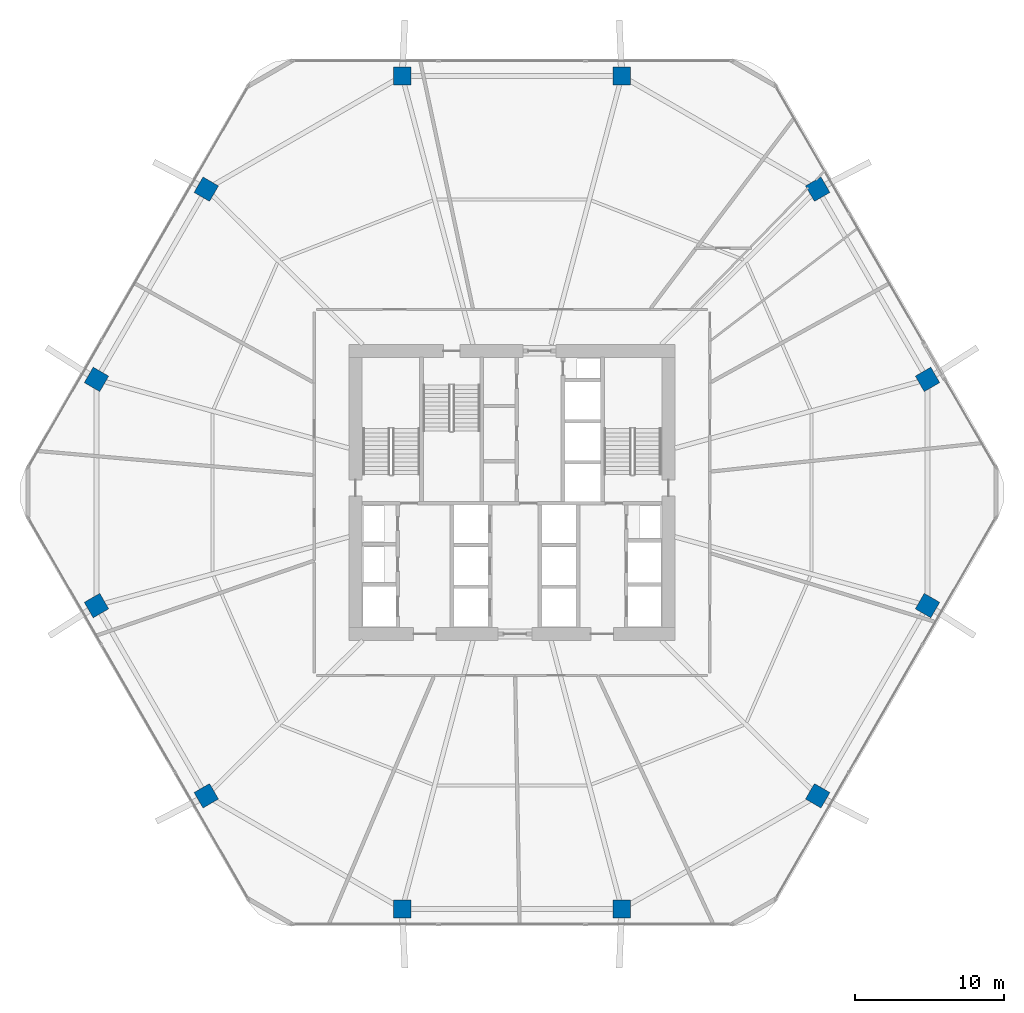
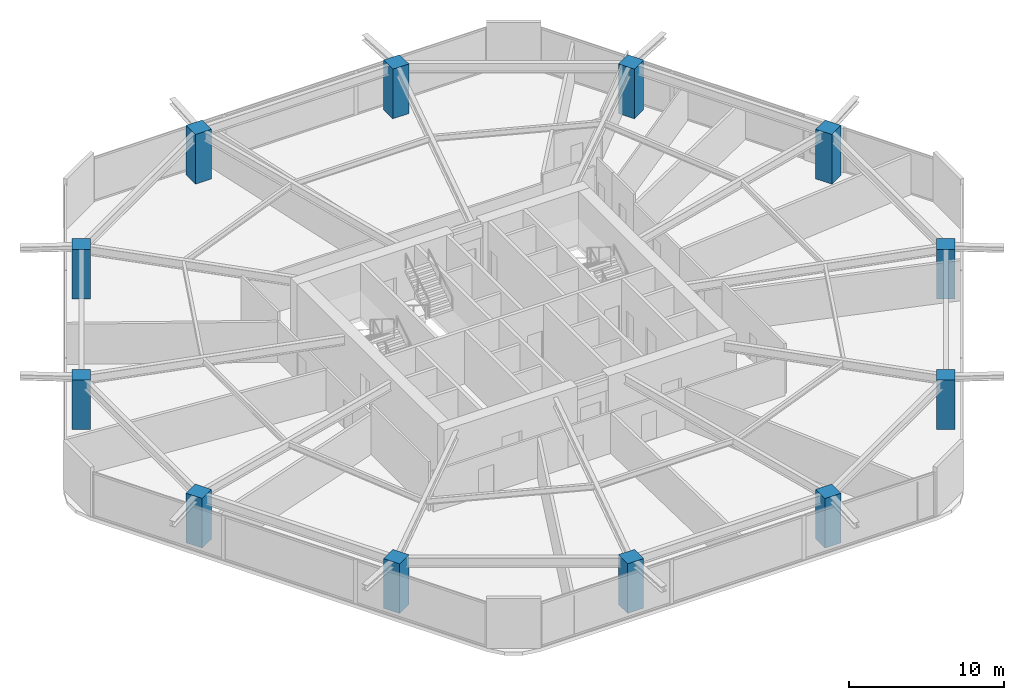
# One storey, part 1 of 25: 12 columns.
"""IFC4 building model written with IfcOpenShell, lengths in metres."""

from ifc_helpers import new_model, si_unit, direction, frame, origin, origin_2d, place, context, subcontext, project, spatial, rectangle, extrude, material, material_profile, profile_set, type_object, element, save


model = new_model("IFC4")

# Units and contexts
model_context = context("Model", 3, precision=1e-05, world=origin(), true_north=direction((0.0, 1.0)))
body_context = subcontext(model_context, "Body", "Model", "MODEL_VIEW")
ifc_project = project(units=[si_unit("LENGTHUNIT", "METRE"), si_unit("AREAUNIT", "SQUARE_METRE"), si_unit("VOLUMEUNIT", "CUBIC_METRE"), si_unit("PLANEANGLEUNIT", "RADIAN"), si_unit("MASSUNIT", "GRAM", prefix="KILO")], contexts=[model_context])

# Site, building, storey
site_placement = place(None, origin())
site = spatial("IfcSite", under=ifc_project, at=site_placement, CompositionType="ELEMENT")
building_placement = place(site_placement, origin())
building = spatial("IfcBuilding", under=site, at=building_placement, Name="Zuhravey Tower", CompositionType="ELEMENT")
storey_placement = place(building_placement, frame((0.0, 0.0, 62.39990234375)))
storey = spatial("IfcBuildingStorey", under=building, at=storey_placement, Name="L15", CompositionType="ELEMENT", Elevation=62.39990234375)

# Columns
ifc_material = material(Name="Concrete C60/75", Category="concrete")
ifc_material_profile = material_profile(ifc_material, rectangle(XDim=1.199951171875, YDim=1.199951171875, at=origin_2d()), Name="RC-1200x1200")
ifc_profile_set = profile_set([ifc_material_profile], Name="Concrete C60/75")
column_type = type_object("IfcColumnType", Name="Zone 1 Perimeter Column 1200x1200", PredefinedType="COLUMN", material=ifc_profile_set)
for number, where, z_axis, x_axis, name in (
    (1, (63.88916015625, 39.591552734375, 0.0), (0.0, 0.0, 1.0), (-0.5, 0.866025403784, 0.0), "L15 Perimeter Column PC01"),
    (2, (56.51904296875, 52.35693359375, 0.0), (0.0, 0.0, 1.0), (-0.5, 0.866025403784, 0.0), "L15 Perimeter Column PC02"),
    (3, (43.3701171875, 59.948486328125, 0.0), (0.0, 0.0, 1.0), (-1.0, 0.0, 0.0), "L15 Perimeter Column PC03"),
    (4, (28.6298828125, 59.948486328125, 0.0), (0.0, 0.0, 1.0), (-1.0, 0.0, 0.0), "L15 Perimeter Column PC04"),
    (5, (15.48095703125, 52.35693359375, 0.0), (0.0, 0.0, 1.0), (-0.5, -0.866025403784, 0.0), "L15 Perimeter Column PC05"),
    (6, (8.11083984375, 39.591552734375, 0.0), (0.0, 0.0, 1.0), (-0.5, -0.866025403784, 0.0), "L15 Perimeter Column PC06"),
    (7, (8.11083984375, 24.408447265625, 0.0), (0.0, 0.0, 1.0), (0.5, -0.866025403784, 0.0), "L15 Perimeter Column PC07"),
    (8, (15.48095703125, 11.64306640625, 0.0), (0.0, 0.0, 1.0), (0.5, -0.866025403784, 0.0), "L15 Perimeter Column PC08"),
    (9, (28.6298828125, 4.051513671875, 0.0), (0.0, 0.0, 1.0), (1.0, 0.0, 0.0), "L15 Perimeter Column PC09"),
    (10, (43.3701171875, 4.051513671875, 0.0), (0.0, 0.0, 1.0), (1.0, 0.0, 0.0), "L15 Perimeter Column PC10"),
    (11, (56.51904296875, 11.64306640625, 0.0), (0.0, 0.0, 1.0), (0.5, 0.866025403784, 0.0), "L15 Perimeter Column PC11"),
    (12, (63.88916015625, 24.408447265625, 0.0), (0.0, 0.0, 1.0), (0.5, 0.866025403784, 0.0), "L15 Perimeter Column PC12"),
):
    element("IfcColumn", number, at=place(storey_placement, frame(where, z_axis=z_axis, x_axis=x_axis)), inside=storey, type_object=column_type, Name=name, PredefinedType="COLUMN", context=body_context, shape_type="SweptSolid", body=[
        extrude(rectangle(XDim=1.199951171875, YDim=1.199951171875, at=origin_2d()), origin(), (0.0, 0.0, 1.0), 3.920166015625),
    ])

save(model, "model.ifc")
